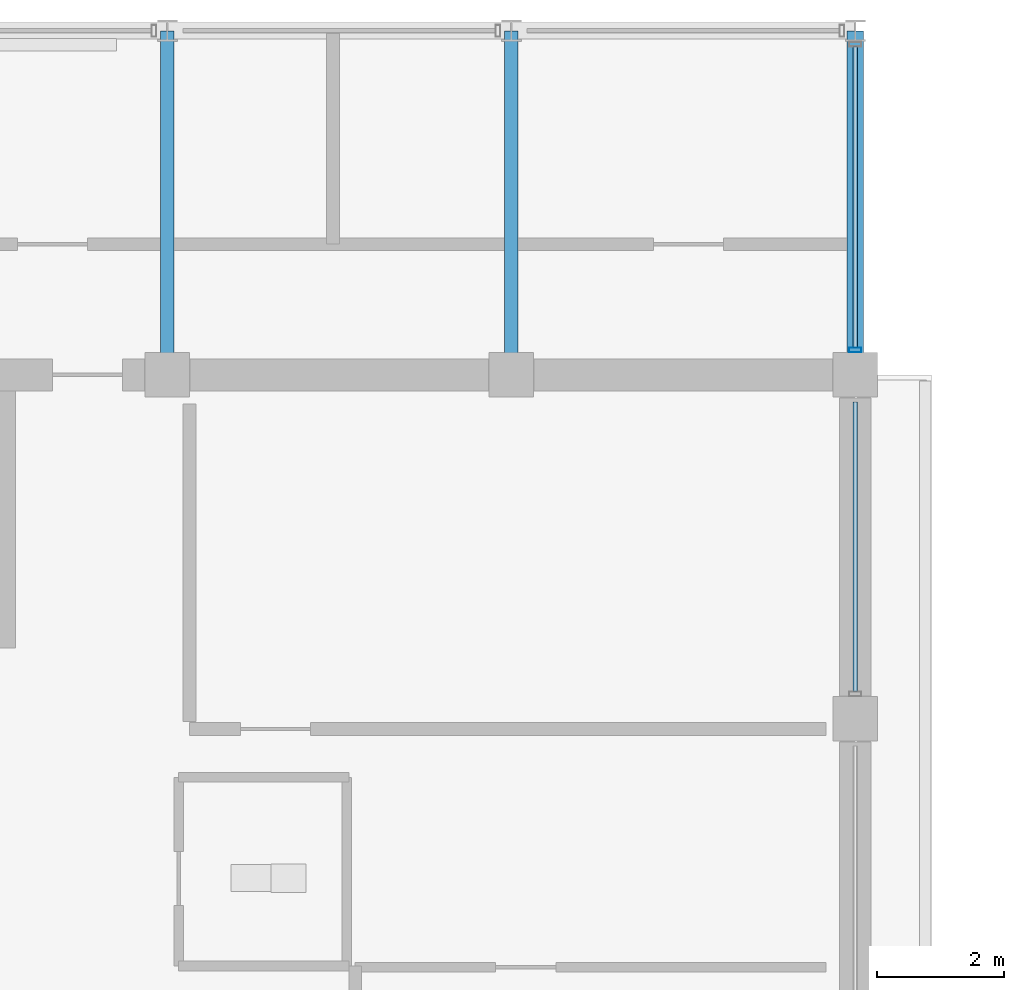
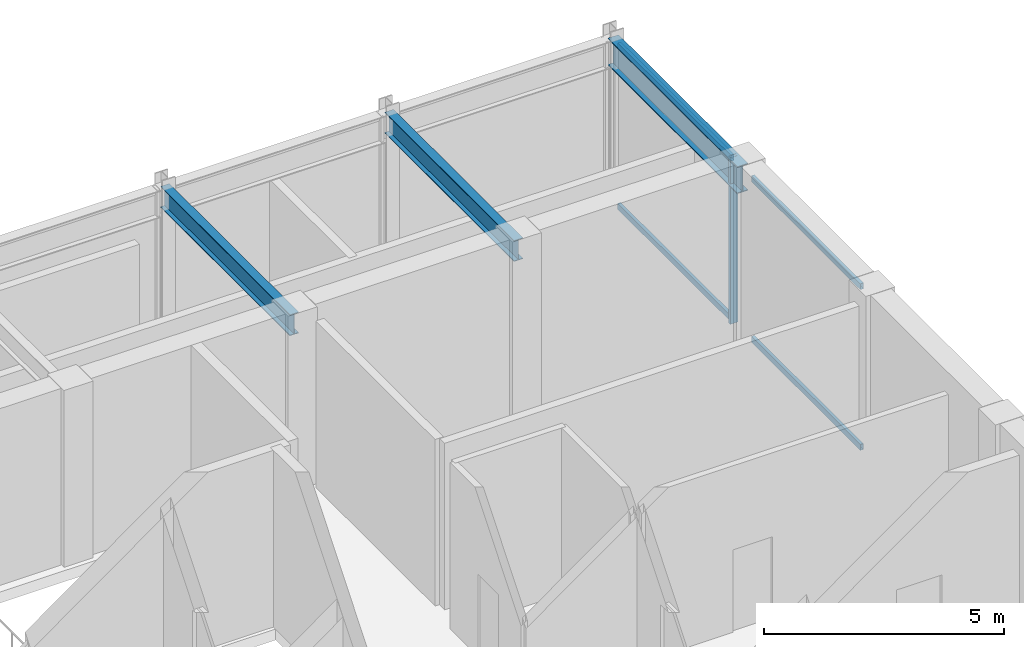
# One storey, part 10 of 18: 5 members, 3 beams, 1 element without a shape of its own.
"""IFC4 building model written with IfcOpenShell, lengths in metres."""

from ifc_helpers import new_model, si_unit, direction, frame, origin, origin_2d, place, context, subcontext, project, spatial, hollow_rectangle, i_section, extrude, material, layer, layer_set, material_profile, profile_set, type_object, element, aggregate, save


model = new_model("IFC4")

# Units and contexts
model_context = context("Model", 3, precision=1e-05, world=origin(), true_north=direction((0.0, 1.0)))
body_context = subcontext(model_context, "Body", "Model", "MODEL_VIEW")
ifc_project = project(units=[si_unit("LENGTHUNIT", "METRE"), si_unit("AREAUNIT", "SQUARE_METRE"), si_unit("VOLUMEUNIT", "CUBIC_METRE"), si_unit("PLANEANGLEUNIT", "RADIAN"), si_unit("MASSUNIT", "GRAM", prefix="KILO")], contexts=[model_context])

# Site, building, storey
site_placement = place(None, origin())
site = spatial("IfcSite", under=ifc_project, at=site_placement, CompositionType="ELEMENT")
building_placement = place(site_placement, origin())
building = spatial("IfcBuilding", under=site, at=building_placement, Name="Surkhivell Harbour Commons", CompositionType="ELEMENT")
storey_placement = place(building_placement, frame((0.0, 0.0, 360.0)))
storey = spatial("IfcBuildingStorey", under=building, at=storey_placement, Name="L93", CompositionType="ELEMENT", Elevation=360.0)

# Beams
ifc_material_1 = material(Name="Steel S355", Category="steel")
ifc_material_profile_1 = material_profile(ifc_material_1, i_section(OverallWidth=0.2099609375, OverallDepth=0.537109375, WebThickness=0.0107421875, FlangeThickness=0.017333984375, at=origin_2d()), Name="UB533x210x101")
ifc_profile_set_1 = profile_set([ifc_material_profile_1], Name="Steel S355")
beam_type_1 = type_object("IfcBeamType", Name="BM-GRD-533B", PredefinedType="BEAM", material=ifc_profile_set_1)
for number, where, z_axis, x_axis, name in (
    (1, (0.0, 10.800048828125, 3.971435546875), (0.0, 1.0, 0.0), (-1.0, 0.0, 0.0), "L93 Floor Girder (0.0,10.8)"),
    (2, (5.39990234375, 10.800048828125, 3.971435546875), (0.0, 1.0, 0.0), (-1.0, 0.0, 0.0), "L93 Floor Girder (5.4,10.8)"),
):
    element("IfcBeam", number, at=place(storey_placement, frame(where, z_axis=z_axis, x_axis=x_axis)), inside=storey, type_object=beam_type_1, Name=name, PredefinedType="BEAM", context=body_context, shape_type="SweptSolid", body=[
        extrude(i_section(OverallWidth=0.2099609375, OverallDepth=0.537109375, WebThickness=0.0107421875, FlangeThickness=0.017333984375, at=origin_2d()), origin(), (0.0, 0.0, 1.0), 5.39990234375),
    ])
ifc_material_profile_2 = material_profile(ifc_material_1, i_section(OverallWidth=0.256103515625, OverallDepth=0.693115234375, WebThickness=0.014404296875, FlangeThickness=0.023681640625, at=origin_2d()), Name="UB686x254x170")
ifc_profile_set_2 = profile_set([ifc_material_profile_2], Name="Steel S355")
beam_type_2 = type_object("IfcBeamType", Name="BM-SPN-686", PredefinedType="SPANDREL", material=ifc_profile_set_2)
beam_placement = place(storey_placement, frame((10.800048828125, 10.800048828125, 3.8935546875), z_axis=(0.0, 1.0, 0.0), x_axis=(-1.0, 0.0, 0.0)))
element("IfcBeam", 3, at=beam_placement, inside=storey, type_object=beam_type_2, Name="L93 Tube Spandrel (10.8,10.8)", PredefinedType="SPANDREL", context=body_context, shape_type="SweptSolid", body=[
    extrude(i_section(OverallWidth=0.256103515625, OverallDepth=0.693115234375, WebThickness=0.014404296875, FlangeThickness=0.023681640625, at=origin_2d()), origin(), (0.0, 0.0, 1.0), 5.39990234375),
])

# Curtain wall, members
ifc_material_2 = material(Name="Anodised pale-metal aluminium and insulated glazing", Category="aluminium")
ifc_layer = layer(ifc_material_2, 0.22998046875)
ifc_layer_set = layer_set([ifc_layer], Name="Anodised pale-metal aluminium and insulated glazing")
curtain_wall_type = type_object("IfcCurtainWallType", Name="CW-SYS-CRN", PredefinedType="NOTDEFINED", material=ifc_layer_set)
curtain_wall_placement = place(storey_placement, origin())
curtain_wall = element("IfcCurtainWall", 4, at=curtain_wall_placement, inside=storey, type_object=curtain_wall_type, Name="L93 Curtain Wall CW-L93-C01S1", PredefinedType="NOTDEFINED")
ifc_material_3 = material(Name="Anodised pale-metal aluminium alloy 6063-T6", Category="aluminium")
ifc_material_profile_3 = material_profile(ifc_material_3, hollow_rectangle(XDim=0.074951171875, YDim=0.18994140625, WallThickness=0.00390625, at=origin_2d()), Name="ALU-MULL-75x190")
ifc_profile_set_3 = profile_set([ifc_material_profile_3], Name="Anodised pale-metal aluminium alloy 6063-T6")
member_type_1 = type_object("IfcMemberType", Name="CWM-190", PredefinedType="MULLION", material=ifc_profile_set_3)
member_1_placement = place(storey_placement, frame((10.800048828125, 11.189453125, 0.0), z_axis=(0.0, 0.0, 1.0), x_axis=(0.0, 1.0, 0.0)))
member_1 = element("IfcMember", 5, at=member_1_placement, type_object=member_type_1, Name="CW-CRN mullion 5", PredefinedType="MULLION", context=body_context, shape_type="SweptSolid", body=[
    extrude(hollow_rectangle(XDim=0.074951171875, YDim=0.18994140625, WallThickness=0.00390625, at=origin_2d()), origin(), (0.0, 0.0, 1.0), 4.239990234375),
])
ifc_material_profile_4 = material_profile(ifc_material_3, hollow_rectangle(XDim=0.074951171875, YDim=0.14990234375, WallThickness=0.00341796875, at=origin_2d()), Name="ALU-TRAN-75x150")
ifc_profile_set_4 = profile_set([ifc_material_profile_4], Name="Anodised pale-metal aluminium alloy 6063-T6")
member_type_2 = type_object("IfcMemberType", Name="CWT-150", PredefinedType="USERDEFINED", material=ifc_profile_set_4)
member_2_placement = place(storey_placement, frame((10.800048828125, 5.826904296875, 0.074951171875), z_axis=(0.0, 1.0, 0.0), x_axis=(-1.0, 0.0, 0.0)))
member_2 = element("IfcMember", 6, at=member_2_placement, type_object=member_type_2, Name="CW-CRN transom 4.1", ObjectType="TRANSOM", PredefinedType="USERDEFINED", context=body_context, shape_type="SweptSolid", body=[
    extrude(hollow_rectangle(XDim=0.074951171875, YDim=0.14990234375, WallThickness=0.00341796875, at=origin_2d()), origin(), (0.0, 0.0, 1.0), 4.546142578125),
])
member_3_placement = place(storey_placement, frame((10.800048828125, 5.826904296875, 4.1650390625), z_axis=(0.0, 1.0, 0.0), x_axis=(-1.0, 0.0, 0.0)))
member_3 = element("IfcMember", 7, at=member_3_placement, type_object=member_type_2, Name="CW-CRN transom 4.2", ObjectType="TRANSOM", PredefinedType="USERDEFINED", context=body_context, shape_type="SweptSolid", body=[
    extrude(hollow_rectangle(XDim=0.074951171875, YDim=0.14990234375, WallThickness=0.00341796875, at=origin_2d()), origin(), (0.0, 0.0, 1.0), 4.546142578125),
])
member_4_placement = place(storey_placement, frame((10.800048828125, 11.22705078125, 0.074951171875), z_axis=(0.0, 1.0, 0.0), x_axis=(-1.0, 0.0, 0.0)))
member_4 = element("IfcMember", 8, at=member_4_placement, type_object=member_type_2, Name="CW-CRN transom 5.1", ObjectType="TRANSOM", PredefinedType="USERDEFINED", context=body_context, shape_type="SweptSolid", body=[
    extrude(hollow_rectangle(XDim=0.074951171875, YDim=0.14990234375, WallThickness=0.00341796875, at=origin_2d()), origin(), (0.0, 0.0, 1.0), 4.725830078125),
])
member_5_placement = place(storey_placement, frame((10.800048828125, 11.22705078125, 4.1650390625), z_axis=(0.0, 1.0, 0.0), x_axis=(-1.0, 0.0, 0.0)))
member_5 = element("IfcMember", 9, at=member_5_placement, type_object=member_type_2, Name="CW-CRN transom 5.2", ObjectType="TRANSOM", PredefinedType="USERDEFINED", context=body_context, shape_type="SweptSolid", body=[
    extrude(hollow_rectangle(XDim=0.074951171875, YDim=0.14990234375, WallThickness=0.00341796875, at=origin_2d()), origin(), (0.0, 0.0, 1.0), 4.725830078125),
])
aggregate(curtain_wall, [member_2, member_3, member_1, member_4, member_5])

save(model, "model.ifc")
